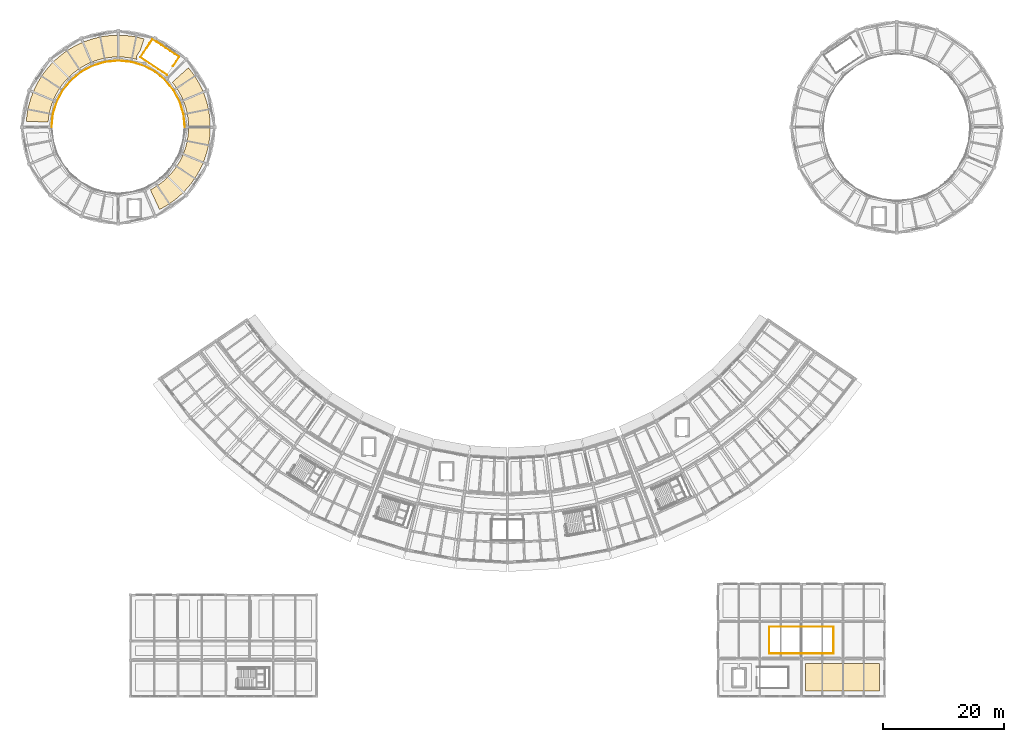
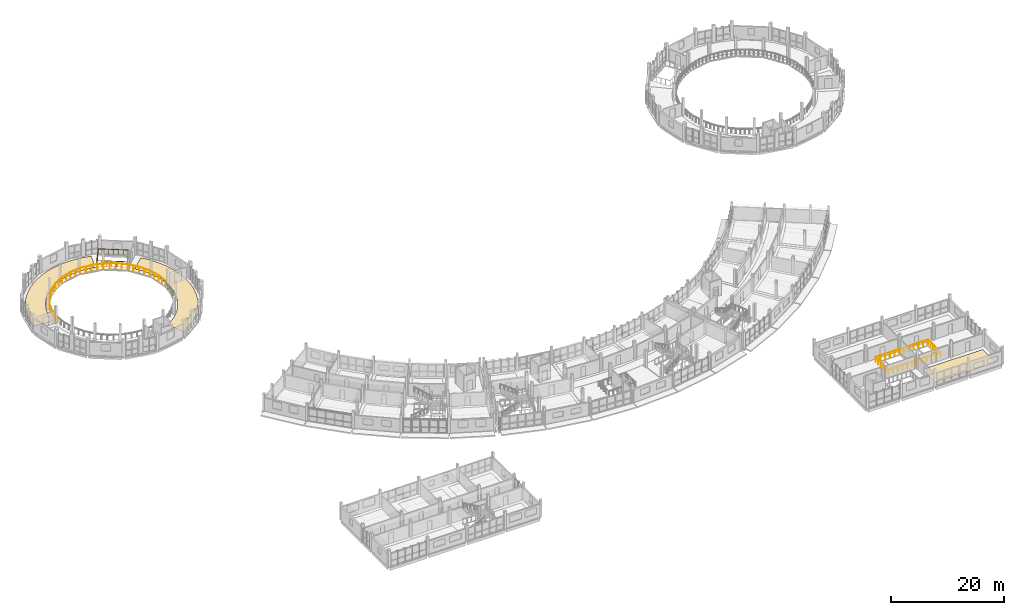
# One storey, part 75 of 77: 4 railings, 3 coverings.
"""IFC4 building model written with IfcOpenShell, lengths in metres."""

from ifc_helpers import new_model, si_unit, direction, frame, origin, origin_2d, place, context, subcontext, project, spatial, polyline, circle, outline, extrude, material, layer, layer_set, type_object, element, save


model = new_model("IFC4")

# Units and contexts
model_context = context("Model", 3, precision=1e-05, world=origin(), true_north=direction((0.0, 1.0)))
body_context = subcontext(model_context, "Body", "Model", "MODEL_VIEW")
ifc_project = project(units=[si_unit("LENGTHUNIT", "METRE"), si_unit("AREAUNIT", "SQUARE_METRE"), si_unit("VOLUMEUNIT", "CUBIC_METRE"), si_unit("PLANEANGLEUNIT", "RADIAN"), si_unit("MASSUNIT", "GRAM", prefix="KILO")], contexts=[model_context])

# Site, building, storey
site_placement = place(None, origin())
site = spatial("IfcSite", under=ifc_project, at=site_placement, CompositionType="ELEMENT")
building_placement = place(site_placement, origin())
building = spatial("IfcBuilding", under=site, at=building_placement, Name="Caldaven Crescent School", CompositionType="ELEMENT")
storey_placement = place(building_placement, frame((0.0, 0.0, 4.419921875)))
storey = spatial("IfcBuildingStorey", under=building, at=storey_placement, Name="L01", CompositionType="ELEMENT", Elevation=4.419921875)

# Coverings
ifc_material_1 = material(Name="Polished terrazzo and acoustic linoleum flooring")
ifc_layer_1 = layer(ifc_material_1, 0.02001953125)
ifc_layer_set_1 = layer_set([ifc_layer_1], Name="Polished terrazzo and acoustic linoleum flooring")
covering_type_1 = type_object("IfcCoveringType", Name="COV-FLR1", PredefinedType="FLOORING", material=ifc_layer_set_1)
covering_1_placement = place(storey_placement, origin())
element("IfcCovering", 1, at=covering_1_placement, inside=storey, type_object=covering_type_1, Name="FLR-L01-024", PredefinedType="FLOORING", context=body_context, shape_type="SweptSolid", body=[
    extrude(outline(polyline([(28.827392578125, 88.14013671875), (29.134521484375, 88.303466796875), (29.148193359375, 88.310791015625), (29.483642578125, 88.504150390625), (29.497314453125, 88.51220703125), (29.825927734375, 88.717041015625), (29.8388671875, 88.7255859375), (30.160400390625, 88.941650390625), (30.173095703125, 88.95068359375), (30.48681640625, 89.177734375), (30.499267578125, 89.18701171875), (30.804931640625, 89.4248046875), (30.817138671875, 89.4345703125), (31.114501953125, 89.682861328125), (31.126220703125, 89.693115234375), (31.414794921875, 89.951416015625), (31.426025390625, 89.9619140625), (31.70556640625, 90.22998046875), (31.716552734375, 90.2412109375), (31.986572265625, 90.518798828125), (31.997314453125, 90.5302734375), (32.257568359375, 90.817138671875), (32.267822265625, 90.828857421875), (32.517822265625, 91.12451171875), (32.527587890625, 91.136474609375), (32.767578125, 91.440673828125), (32.77685546875, 91.452880859375), (33.006103515625, 91.76513671875), (33.01513671875, 91.778076171875), (33.2333984375, 92.09814453125), (33.24169921875, 92.111083984375), (33.44873046875, 92.4384765625), (33.456787109375, 92.45166015625), (33.65234375, 92.785888671875), (33.659912109375, 92.799560546875), (33.843994140625, 93.140380859375), (33.851318359375, 93.154296875), (34.023193359375, 93.50146484375), (34.029541015625, 93.515380859375), (34.189453125, 93.8681640625), (34.19580078125, 93.88232421875), (34.34326171875, 94.240478515625), (34.34912109375, 94.2548828125), (34.484130859375, 94.617919921875), (34.4892578125, 94.6328125), (34.61181640625, 95.000244140625), (34.616455078125, 95.014892578125), (34.726318359375, 95.386474609375), (34.730224609375, 95.4013671875), (34.8271484375, 95.7763671875), (34.830810546875, 95.79150390625), (34.91455078125, 96.169921875), (34.917724609375, 96.18505859375), (34.98828125, 96.56591796875), (34.99072265625, 96.581298828125), (35.048095703125, 96.964111328125), (35.05029296875, 96.9794921875), (35.094482421875, 97.3642578125), (35.095947265625, 97.3798828125), (35.126708984375, 97.76611328125), (35.127685546875, 97.781494140625), (35.145263671875, 98.16845703125), (35.145751953125, 98.18408203125), (35.149658203125, 98.5712890625), (35.149658203125, 98.5869140625), (35.140380859375, 98.97412109375), (35.1396484375, 98.989501953125), (35.116943359375, 99.376220703125), (35.11572265625, 99.391845703125), (35.07958984375, 99.77734375), (35.077880859375, 99.792724609375), (35.028564453125, 100.177001953125), (35.0263671875, 100.1923828125), (34.963623046875, 100.57470703125), (34.9609375, 100.590087890625), (34.885009765625, 100.9697265625), (34.8818359375, 100.985107421875), (34.79296875, 101.362060546875), (34.7890625, 101.376953125), (34.687255859375, 101.75048828125), (34.682861328125, 101.765625), (34.568115234375, 102.1357421875), (34.563232421875, 102.150390625), (34.435791015625, 102.51611328125), (34.430419921875, 102.53076171875), (34.290283203125, 102.891845703125), (34.284423828125, 102.90625), (34.132080078125, 103.26220703125), (34.125732421875, 103.2763671875), (33.961181640625, 103.626953125), (33.9541015625, 103.64111328125), (33.777587890625, 103.985595703125), (33.770263671875, 103.99951171875), (33.581787109375, 104.337890625), (33.573974609375, 104.351318359375), (33.373779296875, 104.682861328125), (33.365478515625, 104.696044921875), (33.154296875, 105.0205078125), (33.1455078125, 105.033447265625), (32.9228515625, 105.3505859375), (32.913818359375, 105.363037109375), (32.680419921875, 105.672119140625), (32.6708984375, 105.6845703125), (32.451904296875, 105.95458984375), (35.128173828125, 108.364501953125), (35.178955078125, 108.306396484375), (35.510986328125, 107.896484375), (35.82861328125, 107.4755859375), (36.131591796875, 107.0439453125), (36.419677734375, 106.60205078125), (36.692138671875, 106.150634765625), (36.94873046875, 105.689697265625), (37.189208984375, 105.220703125), (37.413330078125, 104.7431640625), (37.62109375, 104.25830078125), (37.8115234375, 103.7666015625), (37.985107421875, 103.268798828125), (38.141357421875, 102.764892578125), (38.280029296875, 102.25634765625), (38.401123046875, 101.742919921875), (38.50439453125, 101.2255859375), (38.589599609375, 100.705322265625), (38.656982421875, 100.182373046875), (38.705810546875, 99.656982421875), (38.73681640625, 99.130615234375), (38.74951171875, 98.603515625), (38.743896484375, 98.076171875), (38.72021484375, 97.54931640625), (38.67822265625, 97.023681640625), (38.6181640625, 96.499755859375), (38.539794921875, 95.97802734375), (38.44384765625, 95.459716796875), (38.32958984375, 94.944580078125), (38.197998046875, 94.43408203125), (38.048583984375, 93.92822265625), (37.8818359375, 93.427978515625), (37.69775390625, 92.93359375), (37.496826171875, 92.4462890625), (37.279052734375, 91.9658203125), (37.044921875, 91.493408203125), (36.794677734375, 91.029296875), (36.5283203125, 90.573974609375), (36.24658203125, 90.12841796875), (35.949462890625, 89.6923828125), (35.637451171875, 89.267333984375), (35.31103515625, 88.853271484375), (34.970458984375, 88.45068359375), (34.615966796875, 88.06005859375), (34.248291015625, 87.681884765625), (33.867919921875, 87.316650390625), (33.47509765625, 86.96484375), (33.0703125, 86.626953125), (32.654052734375, 86.302978515625), (32.226806640625, 85.993896484375), (31.789306640625, 85.69970703125), (31.341552734375, 85.420654296875), (30.884765625, 85.157470703125), (30.4189453125, 84.909912109375), (30.349365234375, 84.876220703125), (28.827392578125, 88.14013671875)])), origin(), (0.0, 0.0, 1.0), 0.02001953125),
])
ifc_layer_2 = layer(ifc_material_1, 0.02587890625)
ifc_layer_set_2 = layer_set([ifc_layer_2], Name="Polished terrazzo and acoustic linoleum flooring")
covering_type_2 = type_object("IfcCoveringType", Name="COV-FLR2", PredefinedType="FLOORING", material=ifc_layer_set_2)
covering_2_placement = place(storey_placement, origin())
element("IfcCovering", 2, at=covering_2_placement, inside=storey, type_object=covering_type_2, Name="FLR-L01-025", PredefinedType="FLOORING", context=body_context, shape_type="SweptSolid", body=[
    extrude(outline(polyline([(11.882080078125, 99.35595703125), (8.282958984375, 99.481689453125), (8.287109375, 99.563720703125), (8.33349609375, 100.093994140625), (8.3984375, 100.622314453125), (8.481689453125, 101.148193359375), (8.583251953125, 101.670654296875), (8.703125, 102.189208984375), (8.8408203125, 102.70361328125), (8.996337890625, 103.21240234375), (9.169677734375, 103.7158203125), (9.360595703125, 104.212646484375), (9.568603515625, 104.70263671875), (9.79345703125, 105.18505859375), (10.03515625, 105.659423828125), (10.293212890625, 106.125), (10.5673828125, 106.581298828125), (10.857177734375, 107.027587890625), (11.16259765625, 107.463623046875), (11.48291015625, 107.888916015625), (11.81787109375, 108.302490234375), (12.1669921875, 108.7041015625), (12.530029296875, 109.093505859375), (12.906494140625, 109.469970703125), (13.2958984375, 109.8330078125), (13.697509765625, 110.18212890625), (14.111083984375, 110.51708984375), (14.536376953125, 110.83740234375), (14.972412109375, 111.142822265625), (15.418701171875, 111.4326171875), (15.875, 111.706787109375), (16.340576171875, 111.96484375), (16.81494140625, 112.20654296875), (17.29736328125, 112.431396484375), (17.787353515625, 112.639404296875), (18.2841796875, 112.830322265625), (18.78759765625, 113.003662109375), (19.29638671875, 113.1591796875), (19.810791015625, 113.296875), (20.329345703125, 113.416748046875), (20.851806640625, 113.518310546875), (21.377685546875, 113.6015625), (21.906005859375, 113.66650390625), (22.436279296875, 113.712890625), (22.9677734375, 113.740478515625), (23.5, 113.75), (24.0322265625, 113.740478515625), (24.563720703125, 113.712890625), (25.093994140625, 113.66650390625), (25.622314453125, 113.6015625), (26.148193359375, 113.518310546875), (26.670654296875, 113.416748046875), (27.189208984375, 113.296875), (27.70361328125, 113.1591796875), (27.781982421875, 113.135009765625), (27.189697265625, 111.311767578125), (26.6494140625, 110.503173828125), (26.63818359375, 110.4853515625), (26.62548828125, 110.464111328125), (26.6044921875, 110.42529296875), (26.593994140625, 110.403076171875), (26.576416015625, 110.360595703125), (26.568115234375, 110.33740234375), (26.555908203125, 110.296875), (26.5498046875, 110.273193359375), (26.541015625, 110.22900390625), (26.53759765625, 110.20458984375), (26.533203125, 110.160888671875), (26.531982421875, 110.13623046875), (26.531982421875, 110.09228515625), (26.533203125, 110.06787109375), (26.53759765625, 110.02392578125), (26.541015625, 109.99951171875), (26.5498046875, 109.95556640625), (26.555908203125, 109.931640625), (26.568603515625, 109.889404296875), (26.576904296875, 109.866455078125), (26.59326171875, 109.826904296875), (26.603759765625, 109.804931640625), (26.62548828125, 109.764404296875), (26.63818359375, 109.743408203125), (26.658447265625, 109.712890625), (26.325927734375, 109.802001953125), (26.310791015625, 109.805908203125), (25.929931640625, 109.893798828125), (25.914306640625, 109.897216796875), (25.53076171875, 109.9716796875), (25.515380859375, 109.974365234375), (25.129150390625, 110.035400390625), (25.113525390625, 110.03759765625), (24.7255859375, 110.085205078125), (24.7099609375, 110.0869140625), (24.320556640625, 110.12109375), (24.304931640625, 110.1220703125), (23.91455078125, 110.142578125), (23.898681640625, 110.14306640625), (23.5078125, 110.14990234375), (23.4921875, 110.14990234375), (23.101318359375, 110.14306640625), (23.08544921875, 110.142578125), (22.695068359375, 110.1220703125), (22.679443359375, 110.12109375), (22.2900390625, 110.0869140625), (22.2744140625, 110.085205078125), (21.886474609375, 110.03759765625), (21.870849609375, 110.035400390625), (21.484619140625, 109.974365234375), (21.46923828125, 109.9716796875), (21.085693359375, 109.897216796875), (21.070068359375, 109.893798828125), (20.689208984375, 109.805908203125), (20.674072265625, 109.802001953125), (20.29638671875, 109.70068359375), (20.28125, 109.6962890625), (19.907470703125, 109.58203125), (19.892578125, 109.577392578125), (19.52294921875, 109.4501953125), (19.508056640625, 109.444580078125), (19.14306640625, 109.3046875), (19.12841796875, 109.298583984375), (18.7685546875, 109.14599609375), (18.75439453125, 109.139404296875), (18.39990234375, 108.974365234375), (18.385986328125, 108.96728515625), (18.03759765625, 108.789794921875), (18.023681640625, 108.78271484375), (17.681884765625, 108.593017578125), (17.668212890625, 108.585205078125), (17.3330078125, 108.3837890625), (17.31982421875, 108.37548828125), (16.991943359375, 108.16259765625), (16.97900390625, 108.15380859375), (16.65869140625, 107.9296875), (16.64599609375, 107.92041015625), (16.333740234375, 107.68505859375), (16.3212890625, 107.67529296875), (16.017578125, 107.429443359375), (16.005615234375, 107.419189453125), (15.71044921875, 107.162841796875), (15.69873046875, 107.15234375), (15.412841796875, 106.8857421875), (15.401611328125, 106.874755859375), (15.125244140625, 106.598388671875), (15.1142578125, 106.587158203125), (14.84765625, 106.30126953125), (14.837158203125, 106.28955078125), (14.580810546875, 105.994384765625), (14.570556640625, 105.982421875), (14.32470703125, 105.6787109375), (14.31494140625, 105.666259765625), (14.07958984375, 105.35400390625), (14.0703125, 105.34130859375), (13.84619140625, 105.02099609375), (13.83740234375, 105.008056640625), (13.62451171875, 104.68017578125), (13.6162109375, 104.6669921875), (13.414794921875, 104.331787109375), (13.406982421875, 104.318115234375), (13.21728515625, 103.976318359375), (13.210205078125, 103.96240234375), (13.03271484375, 103.614013671875), (13.025634765625, 103.599853515625), (12.8603515625, 103.24560546875), (12.85400390625, 103.231201171875), (12.701416015625, 102.87158203125), (12.6953125, 102.85693359375), (12.555419921875, 102.491943359375), (12.5498046875, 102.47705078125), (12.422607421875, 102.107421875), (12.41796875, 102.092529296875), (12.3037109375, 101.71875), (12.29931640625, 101.70361328125), (12.197998046875, 101.325927734375), (12.194091796875, 101.310791015625), (12.106201171875, 100.929931640625), (12.102783203125, 100.914306640625), (12.0283203125, 100.53076171875), (12.025634765625, 100.515380859375), (11.964599609375, 100.129150390625), (11.96240234375, 100.113525390625), (11.914794921875, 99.7255859375), (11.9130859375, 99.7099609375), (11.882080078125, 99.35595703125)])), origin(), (0.0, 0.0, 1.0), 0.026123046875),
])
covering_3_placement = place(storey_placement, origin())
element("IfcCovering", 3, at=covering_3_placement, inside=storey, type_object=covering_type_2, Name="FLR-L01-037", PredefinedType="FLOORING", context=body_context, shape_type="SweptSolid", body=[
    extrude(outline(polyline([(137.35009765625, 9.64990234375), (149.64990234375, 9.64990234375), (149.64990234375, 5.050048828125), (137.35009765625, 5.050048828125), (137.35009765625, 9.64990234375)])), origin(), (0.0, 0.0, 1.0), 0.026123046875),
])

# Railings
ifc_material_2 = material(Name="Powder-coated tubular steel balustrade ASTM A572 Grade 50", Category="steel")
railing_type_1 = type_object("IfcRailingType", Name="RAL-INT3", PredefinedType="BALUSTRADE", material=ifc_material_2)
railing_1_placement = place(storey_placement, frame((32.595458984375, 108.634765625, 0.0)))
element("IfcRailing", 4, at=railing_1_placement, inside=storey, type_object=railing_type_1, Name="GD-WELL-STV2-L01", PredefinedType="BALUSTRADE", context=body_context, shape_type="SweptSolid", body=[
    extrude(circle(Radius=0.02392578125, at=origin_2d()), frame((0.0, 0.0, 1.1259765625), z_axis=(0.555500372366, 0.831516287454, 0.0), x_axis=(-0.831516287454, 0.555500372366, 0.0)), (0.0, 0.0, 1.0), 1.830078125),
    extrude(circle(Radius=0.02392578125, at=origin_2d()), frame((1.0166015625, 1.521728515625, 1.1259765625), z_axis=(-0.831464056249, 0.555578548151, 0.0), x_axis=(-0.555578548151, -0.831464056249, 0.0)), (0.0, 0.0, 1.0), 5.322021484375),
    extrude(circle(Radius=0.02392578125, at=origin_2d()), frame((-3.408447265625, 4.478515625, 1.1259765625), z_axis=(-0.555524798667, -0.831499968771, 0.0), x_axis=(0.831499968771, -0.555524798667, 0.0)), (0.0, 0.0, 1.0), 3.619873046875),
    extrude(circle(Radius=0.02392578125, at=origin_2d()), frame((-5.41943359375, 1.468505859375, 1.1259765625), z_axis=(0.831464056249, -0.555578548151, 0.0), x_axis=(0.555578548151, 0.831464056249, 0.0)), (0.0, 0.0, 1.0), 5.322021484375),
    extrude(circle(Radius=0.02099609375, at=origin_2d()), origin(), (0.0, 0.0, 1.0), 1.101806640625),
    extrude(circle(Radius=0.02099609375, at=origin_2d()), frame((0.50830078125, 0.7607421875, 0.0)), (0.0, 0.0, 1.0), 1.101806640625),
    extrude(circle(Radius=0.02099609375, at=origin_2d()), frame((1.0166015625, 1.521728515625, 0.0)), (0.0, 0.0, 1.0), 1.101806640625),
    extrude(circle(Radius=0.02099609375, at=origin_2d()), frame((0.279052734375, 2.0146484375, 0.0)), (0.0, 0.0, 1.0), 1.101806640625),
    extrude(circle(Radius=0.02099609375, at=origin_2d()), frame((-0.45849609375, 2.50732421875, 0.0)), (0.0, 0.0, 1.0), 1.101806640625),
    extrude(circle(Radius=0.02099609375, at=origin_2d()), frame((-1.19580078125, 3.0, 0.0)), (0.0, 0.0, 1.0), 1.101806640625),
    extrude(circle(Radius=0.02099609375, at=origin_2d()), frame((-1.933349609375, 3.492919921875, 0.0)), (0.0, 0.0, 1.0), 1.101806640625),
    extrude(circle(Radius=0.02099609375, at=origin_2d()), frame((-2.6708984375, 3.98583984375, 0.0)), (0.0, 0.0, 1.0), 1.101806640625),
    extrude(circle(Radius=0.02099609375, at=origin_2d()), frame((-3.408447265625, 4.478515625, 0.0)), (0.0, 0.0, 1.0), 1.101806640625),
    extrude(circle(Radius=0.02099609375, at=origin_2d()), frame((-3.9111328125, 3.72607421875, 0.0)), (0.0, 0.0, 1.0), 1.101806640625),
    extrude(circle(Radius=0.02099609375, at=origin_2d()), frame((-4.4140625, 2.9736328125, 0.0)), (0.0, 0.0, 1.0), 1.101806640625),
    extrude(circle(Radius=0.02099609375, at=origin_2d()), frame((-4.916748046875, 2.220947265625, 0.0)), (0.0, 0.0, 1.0), 1.101806640625),
    extrude(circle(Radius=0.02099609375, at=origin_2d()), frame((-5.41943359375, 1.468505859375, 0.0)), (0.0, 0.0, 1.0), 1.101806640625),
    extrude(circle(Radius=0.02099609375, at=origin_2d()), frame((-4.681884765625, 0.9755859375, 0.0)), (0.0, 0.0, 1.0), 1.101806640625),
    extrude(circle(Radius=0.02099609375, at=origin_2d()), frame((-3.9443359375, 0.48291015625, 0.0)), (0.0, 0.0, 1.0), 1.101806640625),
    extrude(circle(Radius=0.02099609375, at=origin_2d()), frame((-3.20703125, -0.009765625, 0.0)), (0.0, 0.0, 1.0), 1.101806640625),
    extrude(circle(Radius=0.02099609375, at=origin_2d()), frame((-2.469482421875, -0.502685546875, 0.0)), (0.0, 0.0, 1.0), 1.101806640625),
    extrude(circle(Radius=0.02099609375, at=origin_2d()), frame((-1.73193359375, -0.99560546875, 0.0)), (0.0, 0.0, 1.0), 1.101806640625),
    extrude(circle(Radius=0.02099609375, at=origin_2d()), frame((-0.994384765625, -1.48828125, 0.0)), (0.0, 0.0, 1.0), 1.101806640625),
])
railing_2_placement = place(storey_placement, frame((131.409912109375, 11.280029296875, 0.0)))
element("IfcRailing", 5, at=railing_2_placement, inside=storey, type_object=railing_type_1, Name="GD-VOID-V3-L01-A", PredefinedType="BALUSTRADE", context=body_context, shape_type="SweptSolid", body=[
    extrude(circle(Radius=0.02392578125, at=origin_2d()), frame((0.0, 0.0, 1.1259765625), z_axis=(1.0, 0.0, 0.0), x_axis=(0.0, 1.0, 0.0)), (0.0, 0.0, 1.0), 10.610107421875),
    extrude(circle(Radius=0.02392578125, at=origin_2d()), frame((10.610107421875, 0.0, 1.1259765625), z_axis=(0.0, 1.0, 0.0), x_axis=(-1.0, 0.0, 0.0)), (0.0, 0.0, 1.0), 4.409912109375),
    extrude(circle(Radius=0.02099609375, at=origin_2d()), origin(), (0.0, 0.0, 1.0), 1.101806640625),
    extrude(circle(Radius=0.02099609375, at=origin_2d()), frame((0.964599609375, 0.0, 0.0)), (0.0, 0.0, 1.0), 1.101806640625),
    extrude(circle(Radius=0.02099609375, at=origin_2d()), frame((1.92919921875, 0.0, 0.0)), (0.0, 0.0, 1.0), 1.101806640625),
    extrude(circle(Radius=0.02099609375, at=origin_2d()), frame((2.8935546875, 0.0, 0.0)), (0.0, 0.0, 1.0), 1.101806640625),
    extrude(circle(Radius=0.02099609375, at=origin_2d()), frame((3.858154296875, 0.0, 0.0)), (0.0, 0.0, 1.0), 1.101806640625),
    extrude(circle(Radius=0.02099609375, at=origin_2d()), frame((4.82275390625, 0.0, 0.0)), (0.0, 0.0, 1.0), 1.101806640625),
    extrude(circle(Radius=0.02099609375, at=origin_2d()), frame((5.787353515625, 0.0, 0.0)), (0.0, 0.0, 1.0), 1.101806640625),
    extrude(circle(Radius=0.02099609375, at=origin_2d()), frame((6.751953125, 0.0, 0.0)), (0.0, 0.0, 1.0), 1.101806640625),
    extrude(circle(Radius=0.02099609375, at=origin_2d()), frame((7.716552734375, 0.0, 0.0)), (0.0, 0.0, 1.0), 1.101806640625),
    extrude(circle(Radius=0.02099609375, at=origin_2d()), frame((8.680908203125, 0.0, 0.0)), (0.0, 0.0, 1.0), 1.101806640625),
    extrude(circle(Radius=0.02099609375, at=origin_2d()), frame((9.6455078125, 0.0, 0.0)), (0.0, 0.0, 1.0), 1.101806640625),
    extrude(circle(Radius=0.02099609375, at=origin_2d()), frame((10.610107421875, 0.0, 0.0)), (0.0, 0.0, 1.0), 1.101806640625),
    extrude(circle(Radius=0.02099609375, at=origin_2d()), frame((10.610107421875, 0.882080078125, 0.0)), (0.0, 0.0, 1.0), 1.101806640625),
    extrude(circle(Radius=0.02099609375, at=origin_2d()), frame((10.610107421875, 1.763916015625, 0.0)), (0.0, 0.0, 1.0), 1.101806640625),
    extrude(circle(Radius=0.02099609375, at=origin_2d()), frame((10.610107421875, 2.64599609375, 0.0)), (0.0, 0.0, 1.0), 1.101806640625),
    extrude(circle(Radius=0.02099609375, at=origin_2d()), frame((10.610107421875, 3.52783203125, 0.0)), (0.0, 0.0, 1.0), 1.101806640625),
    extrude(circle(Radius=0.02099609375, at=origin_2d()), frame((10.610107421875, 4.409912109375, 0.0)), (0.0, 0.0, 1.0), 1.101806640625),
])
railing_3_placement = place(storey_placement, frame((141.989990234375, 15.719970703125, 0.0)))
element("IfcRailing", 6, at=railing_3_placement, inside=storey, type_object=railing_type_1, Name="GD-VOID-V3-L01-B", PredefinedType="BALUSTRADE", context=body_context, shape_type="SweptSolid", body=[
    extrude(circle(Radius=0.02392578125, at=origin_2d()), frame((0.0, 0.0, 1.1259765625), z_axis=(-1.0, 0.0, 0.0), x_axis=(0.0, -1.0, 0.0)), (0.0, 0.0, 1.0), 10.610107421875),
    extrude(circle(Radius=0.02392578125, at=origin_2d()), frame((-10.610107421875, 0.0, 1.1259765625), z_axis=(0.0, -1.0, 0.0), x_axis=(1.0, 0.0, 0.0)), (0.0, 0.0, 1.0), 4.409912109375),
    extrude(circle(Radius=0.02099609375, at=origin_2d()), origin(), (0.0, 0.0, 1.0), 1.101806640625),
    extrude(circle(Radius=0.02099609375, at=origin_2d()), frame((-0.964599609375, 0.0, 0.0)), (0.0, 0.0, 1.0), 1.101806640625),
    extrude(circle(Radius=0.02099609375, at=origin_2d()), frame((-1.92919921875, 0.0, 0.0)), (0.0, 0.0, 1.0), 1.101806640625),
    extrude(circle(Radius=0.02099609375, at=origin_2d()), frame((-2.8935546875, 0.0, 0.0)), (0.0, 0.0, 1.0), 1.101806640625),
    extrude(circle(Radius=0.02099609375, at=origin_2d()), frame((-3.858154296875, 0.0, 0.0)), (0.0, 0.0, 1.0), 1.101806640625),
    extrude(circle(Radius=0.02099609375, at=origin_2d()), frame((-4.82275390625, 0.0, 0.0)), (0.0, 0.0, 1.0), 1.101806640625),
    extrude(circle(Radius=0.02099609375, at=origin_2d()), frame((-5.787353515625, 0.0, 0.0)), (0.0, 0.0, 1.0), 1.101806640625),
    extrude(circle(Radius=0.02099609375, at=origin_2d()), frame((-6.751953125, 0.0, 0.0)), (0.0, 0.0, 1.0), 1.101806640625),
    extrude(circle(Radius=0.02099609375, at=origin_2d()), frame((-7.716552734375, 0.0, 0.0)), (0.0, 0.0, 1.0), 1.101806640625),
    extrude(circle(Radius=0.02099609375, at=origin_2d()), frame((-8.680908203125, 0.0, 0.0)), (0.0, 0.0, 1.0), 1.101806640625),
    extrude(circle(Radius=0.02099609375, at=origin_2d()), frame((-9.6455078125, 0.0, 0.0)), (0.0, 0.0, 1.0), 1.101806640625),
    extrude(circle(Radius=0.02099609375, at=origin_2d()), frame((-10.610107421875, 0.0, 0.0)), (0.0, 0.0, 1.0), 1.101806640625),
    extrude(circle(Radius=0.02099609375, at=origin_2d()), frame((-10.610107421875, -0.882080078125, 0.0)), (0.0, 0.0, 1.0), 1.101806640625),
    extrude(circle(Radius=0.02099609375, at=origin_2d()), frame((-10.610107421875, -1.763916015625, 0.0)), (0.0, 0.0, 1.0), 1.101806640625),
    extrude(circle(Radius=0.02099609375, at=origin_2d()), frame((-10.610107421875, -2.64599609375, 0.0)), (0.0, 0.0, 1.0), 1.101806640625),
    extrude(circle(Radius=0.02099609375, at=origin_2d()), frame((-10.610107421875, -3.52783203125, 0.0)), (0.0, 0.0, 1.0), 1.101806640625),
    extrude(circle(Radius=0.02099609375, at=origin_2d()), frame((-10.610107421875, -4.409912109375, 0.0)), (0.0, 0.0, 1.0), 1.101806640625),
])
railing_type_2 = type_object("IfcRailingType", Name="RAL-INT4", PredefinedType="BALUSTRADE", material=ifc_material_2)
railing_4_placement = place(storey_placement, frame((34.537109375, 98.52978515625, 0.0)))
element("IfcRailing", 7, at=railing_4_placement, inside=storey, type_object=railing_type_2, Name="GD-GAL-V2-L01-A", PredefinedType="BALUSTRADE", context=body_context, shape_type="SweptSolid", body=[
    extrude(circle(Radius=0.02392578125, at=origin_2d()), frame((0.0, 0.0, 1.15576171875), z_axis=(-0.098031277858, 0.995183334146, 0.0), x_axis=(-0.995183334146, -0.098031277858, 0.0)), (0.0, 0.0, 1.0), 2.13427734375),
    extrude(circle(Radius=0.02392578125, at=origin_2d()), frame((-0.209228515625, 2.1240234375, 1.15576171875), z_axis=(-0.290254728067, 0.956949420207, 0.0), x_axis=(-0.956949420207, -0.290254728067, 0.0)), (0.0, 0.0, 1.0), 2.164306640625),
    extrude(circle(Radius=0.02392578125, at=origin_2d()), frame((-0.83740234375, 4.195068359375, 1.15576171875), z_axis=(-0.471413577159, 0.881912262796, 0.0), x_axis=(-0.881912262796, -0.471413577159, 0.0)), (0.0, 0.0, 1.0), 2.164306640625),
    extrude(circle(Radius=0.02392578125, at=origin_2d()), frame((-1.857666015625, 6.103759765625, 1.15576171875), z_axis=(-0.634441070764, 0.772971233441, 0.0), x_axis=(-0.772971233441, -0.634441070764, 0.0)), (0.0, 0.0, 1.0), 2.1640625),
    extrude(circle(Radius=0.02392578125, at=origin_2d()), frame((-3.230712890625, 7.776611328125, 1.15576171875), z_axis=(-0.772971233441, 0.634441070764, 0.0), x_axis=(-0.634441070764, -0.772971233441, 0.0)), (0.0, 0.0, 1.0), 2.1640625),
    extrude(circle(Radius=0.02392578125, at=origin_2d()), frame((-4.903564453125, 9.149658203125, 1.15576171875), z_axis=(-0.881912262796, 0.471413577159, 0.0), x_axis=(-0.471413577159, -0.881912262796, 0.0)), (0.0, 0.0, 1.0), 2.164306640625),
    extrude(circle(Radius=0.02392578125, at=origin_2d()), frame((-6.812255859375, 10.169921875, 1.15576171875), z_axis=(-0.956949420207, 0.290254728067, 0.0), x_axis=(-0.290254728067, -0.956949420207, 0.0)), (0.0, 0.0, 1.0), 2.164306640625),
    extrude(circle(Radius=0.02392578125, at=origin_2d()), frame((-8.88330078125, 10.798095703125, 1.15576171875), z_axis=(-0.995183528951, 0.098029300233, 0.0), x_axis=(-0.098029300233, -0.995183528951, 0.0)), (0.0, 0.0, 1.0), 2.164306640625),
    extrude(circle(Radius=0.02392578125, at=origin_2d()), frame((-11.037109375, 11.01025390625, 1.15576171875), z_axis=(-0.995183528951, -0.098029300233, 0.0), x_axis=(0.098029300233, -0.995183528951, 0.0)), (0.0, 0.0, 1.0), 2.164306640625),
    extrude(circle(Radius=0.02392578125, at=origin_2d()), frame((-13.19091796875, 10.798095703125, 1.15576171875), z_axis=(-0.956949420207, -0.290254728067, 0.0), x_axis=(0.290254728067, -0.956949420207, 0.0)), (0.0, 0.0, 1.0), 2.164306640625),
    extrude(circle(Radius=0.02392578125, at=origin_2d()), frame((-15.261962890625, 10.169921875, 1.15576171875), z_axis=(-0.881912262796, -0.471413577159, 0.0), x_axis=(0.471413577159, -0.881912262796, 0.0)), (0.0, 0.0, 1.0), 2.164306640625),
    extrude(circle(Radius=0.02392578125, at=origin_2d()), frame((-17.170654296875, 9.149658203125, 1.15576171875), z_axis=(-0.772971233441, -0.634441070764, 0.0), x_axis=(0.634441070764, -0.772971233441, 0.0)), (0.0, 0.0, 1.0), 2.1640625),
    extrude(circle(Radius=0.02392578125, at=origin_2d()), frame((-18.843505859375, 7.776611328125, 1.15576171875), z_axis=(-0.634441070764, -0.772971233441, 0.0), x_axis=(0.772971233441, -0.634441070764, 0.0)), (0.0, 0.0, 1.0), 2.1640625),
    extrude(circle(Radius=0.02392578125, at=origin_2d()), frame((-20.216552734375, 6.103759765625, 1.15576171875), z_axis=(-0.471413577159, -0.881912262796, 0.0), x_axis=(0.881912262796, -0.471413577159, 0.0)), (0.0, 0.0, 1.0), 2.164306640625),
    extrude(circle(Radius=0.02392578125, at=origin_2d()), frame((-21.23681640625, 4.195068359375, 1.15576171875), z_axis=(-0.290254728067, -0.956949420207, 0.0), x_axis=(0.956949420207, -0.290254728067, 0.0)), (0.0, 0.0, 1.0), 2.164306640625),
    extrude(circle(Radius=0.02392578125, at=origin_2d()), frame((-21.864990234375, 2.1240234375, 1.15576171875), z_axis=(-0.098031277858, -0.995183334146, 0.0), x_axis=(0.995183334146, -0.098031277858, 0.0)), (0.0, 0.0, 1.0), 2.13427734375),
    extrude(circle(Radius=0.02099609375, at=origin_2d()), origin(), (0.0, 0.0, 1.0), 1.1318359375),
    extrude(circle(Radius=0.02099609375, at=origin_2d()), frame((-0.1044921875, 1.06201171875, 0.0)), (0.0, 0.0, 1.0), 1.1318359375),
    extrude(circle(Radius=0.02099609375, at=origin_2d()), frame((-0.209228515625, 2.1240234375, 0.0)), (0.0, 0.0, 1.0), 1.1318359375),
    extrude(circle(Radius=0.02099609375, at=origin_2d()), frame((-0.5234375, 3.15966796875, 0.0)), (0.0, 0.0, 1.0), 1.1318359375),
    extrude(circle(Radius=0.02099609375, at=origin_2d()), frame((-0.83740234375, 4.195068359375, 0.0)), (0.0, 0.0, 1.0), 1.1318359375),
    extrude(circle(Radius=0.02099609375, at=origin_2d()), frame((-1.34765625, 5.1494140625, 0.0)), (0.0, 0.0, 1.0), 1.1318359375),
    extrude(circle(Radius=0.02099609375, at=origin_2d()), frame((-1.857666015625, 6.103759765625, 0.0)), (0.0, 0.0, 1.0), 1.1318359375),
    extrude(circle(Radius=0.02099609375, at=origin_2d()), frame((-2.544189453125, 6.940185546875, 0.0)), (0.0, 0.0, 1.0), 1.1318359375),
    extrude(circle(Radius=0.02099609375, at=origin_2d()), frame((-3.230712890625, 7.776611328125, 0.0)), (0.0, 0.0, 1.0), 1.1318359375),
    extrude(circle(Radius=0.02099609375, at=origin_2d()), frame((-4.067138671875, 8.463134765625, 0.0)), (0.0, 0.0, 1.0), 1.1318359375),
    extrude(circle(Radius=0.02099609375, at=origin_2d()), frame((-4.903564453125, 9.149658203125, 0.0)), (0.0, 0.0, 1.0), 1.1318359375),
    extrude(circle(Radius=0.02099609375, at=origin_2d()), frame((-5.85791015625, 9.65966796875, 0.0)), (0.0, 0.0, 1.0), 1.1318359375),
    extrude(circle(Radius=0.02099609375, at=origin_2d()), frame((-6.812255859375, 10.169921875, 0.0)), (0.0, 0.0, 1.0), 1.1318359375),
    extrude(circle(Radius=0.02099609375, at=origin_2d()), frame((-7.84765625, 10.48388671875, 0.0)), (0.0, 0.0, 1.0), 1.1318359375),
    extrude(circle(Radius=0.02099609375, at=origin_2d()), frame((-8.88330078125, 10.798095703125, 0.0)), (0.0, 0.0, 1.0), 1.1318359375),
    extrude(circle(Radius=0.02099609375, at=origin_2d()), frame((-9.960205078125, 10.904296875, 0.0)), (0.0, 0.0, 1.0), 1.1318359375),
    extrude(circle(Radius=0.02099609375, at=origin_2d()), frame((-11.037109375, 11.01025390625, 0.0)), (0.0, 0.0, 1.0), 1.1318359375),
    extrude(circle(Radius=0.02099609375, at=origin_2d()), frame((-12.114013671875, 10.904296875, 0.0)), (0.0, 0.0, 1.0), 1.1318359375),
    extrude(circle(Radius=0.02099609375, at=origin_2d()), frame((-13.19091796875, 10.798095703125, 0.0)), (0.0, 0.0, 1.0), 1.1318359375),
    extrude(circle(Radius=0.02099609375, at=origin_2d()), frame((-14.2265625, 10.48388671875, 0.0)), (0.0, 0.0, 1.0), 1.1318359375),
    extrude(circle(Radius=0.02099609375, at=origin_2d()), frame((-15.261962890625, 10.169921875, 0.0)), (0.0, 0.0, 1.0), 1.1318359375),
    extrude(circle(Radius=0.02099609375, at=origin_2d()), frame((-16.21630859375, 9.65966796875, 0.0)), (0.0, 0.0, 1.0), 1.1318359375),
    extrude(circle(Radius=0.02099609375, at=origin_2d()), frame((-17.170654296875, 9.149658203125, 0.0)), (0.0, 0.0, 1.0), 1.1318359375),
    extrude(circle(Radius=0.02099609375, at=origin_2d()), frame((-18.007080078125, 8.463134765625, 0.0)), (0.0, 0.0, 1.0), 1.1318359375),
    extrude(circle(Radius=0.02099609375, at=origin_2d()), frame((-18.843505859375, 7.776611328125, 0.0)), (0.0, 0.0, 1.0), 1.1318359375),
    extrude(circle(Radius=0.02099609375, at=origin_2d()), frame((-19.530029296875, 6.940185546875, 0.0)), (0.0, 0.0, 1.0), 1.1318359375),
    extrude(circle(Radius=0.02099609375, at=origin_2d()), frame((-20.216552734375, 6.103759765625, 0.0)), (0.0, 0.0, 1.0), 1.1318359375),
    extrude(circle(Radius=0.02099609375, at=origin_2d()), frame((-20.7265625, 5.1494140625, 0.0)), (0.0, 0.0, 1.0), 1.1318359375),
    extrude(circle(Radius=0.02099609375, at=origin_2d()), frame((-21.23681640625, 4.195068359375, 0.0)), (0.0, 0.0, 1.0), 1.1318359375),
    extrude(circle(Radius=0.02099609375, at=origin_2d()), frame((-21.55078125, 3.15966796875, 0.0)), (0.0, 0.0, 1.0), 1.1318359375),
    extrude(circle(Radius=0.02099609375, at=origin_2d()), frame((-21.864990234375, 2.1240234375, 0.0)), (0.0, 0.0, 1.0), 1.1318359375),
    extrude(circle(Radius=0.02099609375, at=origin_2d()), frame((-21.9697265625, 1.06201171875, 0.0)), (0.0, 0.0, 1.0), 1.1318359375),
    extrude(circle(Radius=0.02099609375, at=origin_2d()), frame((-22.07421875, 0.0, 0.0)), (0.0, 0.0, 1.0), 1.1318359375),
])

save(model, "model.ifc")
